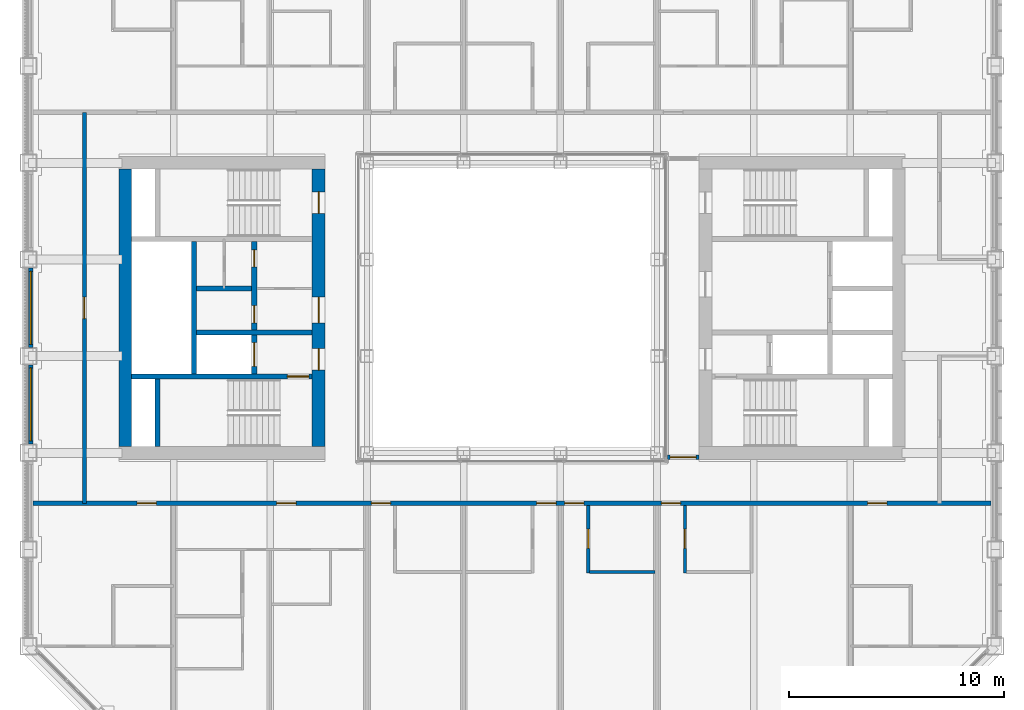
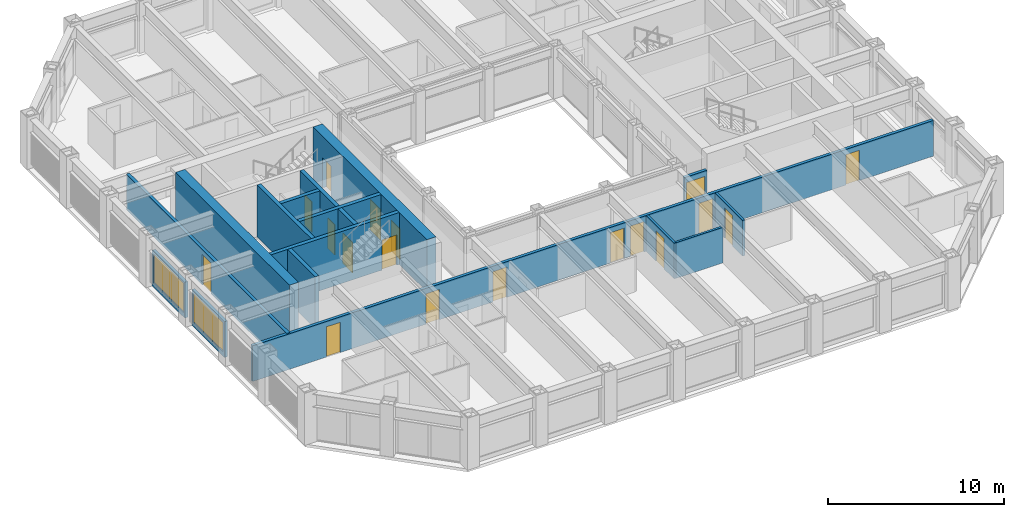
# One storey, part 11 of 18: 18 doors, 16 walls, 2 windows, 20 openings.
"""IFC4 building model written with IfcOpenShell, lengths in metres."""

import ifcopenshell
import ifcopenshell.guid

model = None  # the IFC model being written
_history = None  # IfcOwnerHistory: only IFC2X3 demands one
_inside = {}  # id of a spatial element -> (the spatial element, [elements in it])
_under = {}  # id of a project, library or spatial element -> (it, [spatial elements below it])
_declared = {}  # id of a project -> (the project, [libraries it declares])
_typed = {}  # id of a type object -> (the type object, [elements of that type])
_made_of = {}  # id of a material, layer set ... -> (it, [elements and type objects made of it])


def new_model(schema):
    """Start an empty IFC model of exactly this schema.

    Asked for "IFC4X3", IfcOpenShell would pick the latest addendum, in which some entities
    have other attributes; the version numbers below select the first issue.
    IFC2X3 requires an IfcOwnerHistory on every rooted entity: one is made here for all.
    """
    global model, _history
    if schema == "IFC4X3":
        model = ifcopenshell.file(schema_version=(4, 3, 0, 0))
    else:
        model = ifcopenshell.file(schema=schema)
    _inside.clear()
    _under.clear()
    _declared.clear()
    _typed.clear()
    _made_of.clear()
    _history = None
    if model.schema == "IFC2X3":
        org = make("IfcOrganization", Name="unknown")
        user = make(
            "IfcPersonAndOrganization",
            ThePerson=make("IfcPerson", FamilyName="unknown"),
            TheOrganization=org,
        )
        app = make(
            "IfcApplication",
            ApplicationDeveloper=org,
            Version="unknown",
            ApplicationFullName="unknown",
            ApplicationIdentifier="unknown",
        )
        _history = make(
            "IfcOwnerHistory",
            OwningUser=user,
            OwningApplication=app,
            ChangeAction="ADDED",
            CreationDate=0,
        )
    return model


def make(cls, **values):
    """One entity of the class cls with the attributes given. An attribute that is None is left unset."""
    return model.create_entity(
        cls, **{name: value for name, value in values.items() if value is not None}
    )


def rooted(cls, **values):
    """An entity with a GlobalId (a new one), such as an element, a storey or a relation."""
    return make(cls, GlobalId=ifcopenshell.guid.new(), OwnerHistory=_history, **values)


def si_unit(unit_type, name, prefix=None):
    """IfcSIUnit, for example si_unit("LENGTHUNIT", "METRE", prefix="MILLI")."""
    return make("IfcSIUnit", UnitType=unit_type, Prefix=prefix, Name=name)


def assignment(units):
    """IfcUnitAssignment: the units of a project."""
    return None if units is None else make("IfcUnitAssignment", Units=units)


def point(xyz):
    """IfcCartesianPoint."""
    return None if xyz is None else make("IfcCartesianPoint", Coordinates=xyz)


def direction(xyz):
    """IfcDirection."""
    return None if xyz is None else make("IfcDirection", DirectionRatios=xyz)


def frame(location, z_axis=None, x_axis=None):
    """IfcAxis2Placement3D, a coordinate frame: its origin and axes. An axis left out is left unset."""
    return make(
        "IfcAxis2Placement3D",
        Location=point(location),
        Axis=direction(z_axis),
        RefDirection=direction(x_axis),
    )


def frame_2d(location, x_axis=None):
    """IfcAxis2Placement2D, a coordinate frame in the plane: its origin and x axis."""
    return make(
        "IfcAxis2Placement2D", Location=point(location), RefDirection=direction(x_axis)
    )


def origin():
    """The frame at (0, 0, 0) with its axes left unset."""
    return frame((0.0, 0.0, 0.0))


def place(relative_to, where):
    """IfcLocalPlacement: puts the frame where relative to a parent placement (None: the world)."""
    return make(
        "IfcLocalPlacement", PlacementRelTo=relative_to, RelativePlacement=where
    )


def context(
    kind, dimensions, precision=None, world=None, true_north=None, identifier=None
):
    """IfcGeometricRepresentationContext, for example the 3D "Model" context."""
    return make(
        "IfcGeometricRepresentationContext",
        ContextIdentifier=identifier,
        ContextType=kind,
        CoordinateSpaceDimension=dimensions,
        Precision=precision,
        WorldCoordinateSystem=world,
        TrueNorth=true_north,
    )


def subcontext(parent, identifier, kind, view, scale=None):
    """IfcGeometricRepresentationSubContext, for example "Body" below "Model"."""
    return make(
        "IfcGeometricRepresentationSubContext",
        ContextIdentifier=identifier,
        ContextType=kind,
        ParentContext=parent,
        TargetScale=scale,
        TargetView=view,
    )


def project(units=None, contexts=None):
    """IfcProject with its units and contexts."""
    return rooted(
        "IfcProject",
        Name="project",
        RepresentationContexts=contexts,
        UnitsInContext=assignment(units),
    )


def spatial(cls, under=None, at=None, **own):
    """A site, building, storey or space (cls), placed at a placement, below another one or the project."""
    s = rooted(cls, ObjectPlacement=at, **own)
    if under is not None:
        _under.setdefault(under.id(), (under, []))[1].append(s)
    return s


def profile(cls, at=None, kind="AREA", **sizes):
    """A parametric profile (cls). Its sizes go by their IFC names, for example OverallWidth=200.0."""
    return make(cls, ProfileType=kind, Position=at, **sizes)


def rectangle(**sizes):
    """IfcRectangleProfileDef."""
    return profile("IfcRectangleProfileDef", **sizes)


def extrude(swept, where, along, depth):
    """IfcExtrudedAreaSolid: the profile swept, set in the frame where, extruded along a direction by depth."""
    return make(
        "IfcExtrudedAreaSolid",
        SweptArea=swept,
        Position=where,
        ExtrudedDirection=direction(along),
        Depth=depth,
    )


def shape(context_of_items, identifier, shape_type, items):
    """IfcShapeRepresentation: the items that make up one representation, for example the "Body"."""
    return make(
        "IfcShapeRepresentation",
        ContextOfItems=context_of_items,
        RepresentationIdentifier=identifier,
        RepresentationType=shape_type,
        Items=items,
    )


def material(Name=None, Category=None):
    """IfcMaterial."""
    return make("IfcMaterial", Name=Name, Category=Category)


def layer(
    of_material, thickness, ventilated=None, Name=None, Category=None, Priority=None
):
    """IfcMaterialLayer: one layer of a wall or slab, of a material (None: an air gap)."""
    return make(
        "IfcMaterialLayer",
        Material=of_material,
        LayerThickness=thickness,
        IsVentilated=ventilated,
        Name=Name,
        Category=Category,
        Priority=Priority,
    )


def layer_set(layers, Name=None):
    """IfcMaterialLayerSet."""
    return make("IfcMaterialLayerSet", MaterialLayers=layers, LayerSetName=Name)


def made_of(thing, what):
    """Note that an element or type object is made of a material, layer set ...; save() writes the relation."""
    if what is not None:
        _made_of.setdefault(what.id(), (what, []))[1].append(thing)
    return thing


def type_object(cls, material=None, **own):
    """A type object (cls), such as IfcWallType, which elements share."""
    return made_of(rooted(cls, **own), material)


def element(
    cls,
    number,
    at=None,
    inside=None,
    cuts=None,
    type_object=None,
    material=None,
    context=None,
    identifier="Body",
    shape_type=None,
    held_by="IfcProductDefinitionShape",
    body=None,
    shapes=None,
    **own,
):
    """One element of the class cls, such as IfcWall. Its Tag is "e" and its number.

    at: its placement. inside: the storey or other place that contains it. cuts: it is an
    opening in that element (IfcRelVoidsElement). A single representation is given by context,
    identifier, shape_type and body (its items); several are given by shapes. held_by: the class
    of the entity that holds the representations. save() writes the other relations.
    """
    e = rooted(cls, Tag="e%d" % number, ObjectPlacement=at, **own)
    if body is not None:
        shapes = [shape(context, identifier, shape_type, body)]
    if shapes is not None:
        e.Representation = make(held_by, Representations=shapes)
    if inside is not None:
        _inside.setdefault(inside.id(), (inside, []))[1].append(e)
    if cuts is not None:
        rooted(
            "IfcRelVoidsElement", RelatingBuildingElement=cuts, RelatedOpeningElement=e
        )
    if type_object is not None:
        _typed.setdefault(type_object.id(), (type_object, []))[1].append(e)
    return made_of(e, material)


def fill(opening, filler):
    """IfcRelFillsElement: the door or window that sits in an opening."""
    return rooted(
        "IfcRelFillsElement",
        RelatingOpeningElement=opening,
        RelatedBuildingElement=filler,
    )


def aggregate(whole, parts):
    """IfcRelAggregates: a whole, such as a stair, and the parts it consists of."""
    return rooted("IfcRelAggregates", RelatingObject=whole, RelatedObjects=parts)


def save(model, path):
    """Write the relations noted so far, then the file.

    IfcRelAggregates (storeys below a building ...), IfcRelContainedInSpatialStructure (elements
    in a storey), IfcRelDefinesByType, IfcRelAssociatesMaterial and IfcRelDeclares: one each for
    every whole, place, type object, material and project.
    """
    for whole, parts in _under.values():
        aggregate(whole, parts)
    for where, things in _inside.values():
        rooted(
            "IfcRelContainedInSpatialStructure",
            RelatedElements=things,
            RelatingStructure=where,
        )
    for kind, things in _typed.values():
        rooted("IfcRelDefinesByType", RelatedObjects=things, RelatingType=kind)
    for what, things in _made_of.values():
        rooted("IfcRelAssociatesMaterial", RelatedObjects=things, RelatingMaterial=what)
    for by, libraries in _declared.values():
        rooted("IfcRelDeclares", RelatingContext=by, RelatedDefinitions=libraries)
    model.write(path)


model = new_model("IFC4")

# Units and contexts
model_context = context("Model", 3, precision=1e-05, world=origin(), true_north=direction((0.0, 1.0)))
body_context = subcontext(model_context, "Body", "Model", "MODEL_VIEW")
ifc_project = project(units=[si_unit("LENGTHUNIT", "METRE"), si_unit("AREAUNIT", "SQUARE_METRE"), si_unit("VOLUMEUNIT", "CUBIC_METRE"), si_unit("PLANEANGLEUNIT", "RADIAN"), si_unit("MASSUNIT", "GRAM", prefix="KILO")], contexts=[model_context])

# Site, building, storey
site_placement = place(None, origin())
site = spatial("IfcSite", under=ifc_project, at=site_placement, CompositionType="ELEMENT")
building_placement = place(site_placement, origin())
building = spatial("IfcBuilding", under=site, at=building_placement, Name="Msasa Ring Tower", CompositionType="ELEMENT")
storey_placement = place(building_placement, frame((0.0, 0.0, 183.199951171875)))
storey = spatial("IfcBuildingStorey", under=building, at=storey_placement, Name="L48", CompositionType="ELEMENT", Elevation=183.199951171875)

# Wall, openings, doors
ifc_material_1 = material(Name="Concrete C60/75", Category="concrete")
ifc_layer_1 = layer(ifc_material_1, 0.60009765625)
ifc_layer_set_1 = layer_set([ifc_layer_1], Name="CW2 CORE WALL 600")
wall_type_1 = type_object("IfcWallType", Name="CW2 CORE WALL 600", PredefinedType="SHEAR", material=ifc_layer_set_1)
wall_1_placement = place(storey_placement, frame((-9.0, -6.449951171875, 0.0), z_axis=(0.0, 0.0, 1.0), x_axis=(0.0, 1.0, 0.0)))
wall_1 = element("IfcWall", 1, at=wall_1_placement, inside=storey, type_object=wall_type_1, Name="W core wall W L48", PredefinedType="SHEAR", context=body_context, shape_type="SweptSolid", body=[
    extrude(rectangle(XDim=12.89990234375, YDim=0.60009765625, at=frame_2d((6.449951171875, 0.0))), origin(), (0.0, 0.0, 1.0), 3.60009765625),
])
opening_1_placement = place(wall_1_placement, frame((3.550048828125, 0.0, 0.0)))
opening_1 = element("IfcOpeningElement", 2, at=opening_1_placement, cuts=wall_1, Name="Opening HG-034", PredefinedType="OPENING", context=body_context, shape_type="SweptSolid", body=[
    extrude(rectangle(XDim=1.0, YDim=2.10009765625, at=frame_2d((0.5, 1.050048828125))), frame((0.0, 0.31005859375, 0.0), z_axis=(0.0, -1.0, 0.0), x_axis=(1.0, 0.0, 0.0)), (0.0, 0.0, 1.0), 0.6201171875),
])
opening_2_placement = place(wall_1_placement, frame((5.75, 0.0, 0.0)))
opening_2 = element("IfcOpeningElement", 3, at=opening_2_placement, cuts=wall_1, Name="Opening HG-032", PredefinedType="OPENING", context=body_context, shape_type="SweptSolid", body=[
    extrude(rectangle(XDim=1.199951171875, YDim=2.10009765625, at=frame_2d((0.60009765625, 1.050048828125))), frame((0.0, 0.31005859375, 0.0), z_axis=(0.0, -1.0, 0.0), x_axis=(1.0, 0.0, 0.0)), (0.0, 0.0, 1.0), 0.6201171875),
])
opening_3_placement = place(wall_1_placement, frame((10.85009765625, 0.0, 0.0)))
opening_3 = element("IfcOpeningElement", 4, at=opening_3_placement, cuts=wall_1, Name="Opening HG-025", PredefinedType="OPENING", context=body_context, shape_type="SweptSolid", body=[
    extrude(rectangle(XDim=1.0, YDim=2.10009765625, at=frame_2d((0.5, 1.050048828125))), frame((0.0, 0.31005859375, 0.0), z_axis=(0.0, -1.0, 0.0), x_axis=(1.0, 0.0, 0.0)), (0.0, 0.0, 1.0), 0.6201171875),
])
ifc_material_2 = material(Name="Timber door leaf in a steel frame", Category="steel")
door_type_1 = type_object("IfcDoorType", Name="D4 LOBBY DOOR 1000x2100", OperationType="SINGLE_SWING_LEFT", PredefinedType="DOOR", material=ifc_material_2)
door_1_placement = place(opening_1_placement, origin())
door_1 = element("IfcDoor", 5, at=door_1_placement, inside=storey, type_object=door_type_1, Name="Door L48-WFFL", OperationType="SINGLE_SWING_LEFT", OverallHeight=2.10009765625, OverallWidth=1.0, PredefinedType="DOOR", context=body_context, shape_type="SweptSolid", body=[
    extrude(rectangle(XDim=1.0, YDim=2.10009765625, at=frame_2d((0.5, 1.050048828125))), frame((0.0, 0.02490234375, 0.0), z_axis=(0.0, -1.0, 0.0), x_axis=(1.0, 0.0, 0.0)), (0.0, 0.0, 1.0), 0.050048828125),
])
fill(opening_1, door_1)
ifc_material_3 = material(Name="Timber door leaf in a steel frame", Category="steel")
door_type_2 = type_object("IfcDoorType", Name="D5 WIDE LOBBY DOOR 1200x2100", OperationType="SINGLE_SWING_LEFT", PredefinedType="DOOR", material=ifc_material_3)
door_2_placement = place(opening_2_placement, origin())
door_2 = element("IfcDoor", 6, at=door_2_placement, inside=storey, type_object=door_type_2, Name="Door L48-WLL", OperationType="SINGLE_SWING_LEFT", OverallHeight=2.10009765625, OverallWidth=1.199951171875, PredefinedType="DOOR", context=body_context, shape_type="SweptSolid", body=[
    extrude(rectangle(XDim=1.199951171875, YDim=2.10009765625, at=frame_2d((0.60009765625, 1.050048828125))), frame((0.0, 0.02490234375, 0.0), z_axis=(0.0, -1.0, 0.0), x_axis=(1.0, 0.0, 0.0)), (0.0, 0.0, 1.0), 0.050048828125),
])
fill(opening_2, door_2)
ifc_material_4 = material(Name="Timber door leaf in a steel frame", Category="steel")
door_type_3 = type_object("IfcDoorType", Name="D6 STAIR DOOR 1000x2100", OperationType="SINGLE_SWING_LEFT", PredefinedType="DOOR", material=ifc_material_4)
door_3_placement = place(opening_3_placement, origin())
door_3 = element("IfcDoor", 7, at=door_3_placement, inside=storey, type_object=door_type_3, Name="Door L48-WSTB", OperationType="SINGLE_SWING_RIGHT", OverallHeight=2.10009765625, OverallWidth=1.0, PredefinedType="DOOR", context=body_context, shape_type="SweptSolid", body=[
    extrude(rectangle(XDim=1.0, YDim=2.10009765625, at=frame_2d((0.5, 1.050048828125))), frame((0.0, 0.02490234375, 0.0), z_axis=(0.0, -1.0, 0.0), x_axis=(1.0, 0.0, 0.0)), (0.0, 0.0, 1.0), 0.050048828125),
])
fill(opening_3, door_3)

# Wall
wall_2_placement = place(storey_placement, frame((-18.0, -6.449951171875, 0.0), z_axis=(0.0, 0.0, 1.0), x_axis=(0.0, 1.0, 0.0)))
element("IfcWall", 8, at=wall_2_placement, inside=storey, type_object=wall_type_1, Name="W core wall E L48", PredefinedType="SHEAR", context=body_context, shape_type="SweptSolid", body=[
    extrude(rectangle(XDim=12.89990234375, YDim=0.60009765625, at=frame_2d((6.449951171875, 0.0))), origin(), (0.0, 0.0, 1.0), 3.60009765625),
])

# Wall, opening, door
ifc_material_5 = material(Name="Concrete C60/75", Category="concrete")
ifc_layer_2 = layer(ifc_material_5, 0.25)
ifc_layer_set_2 = layer_set([ifc_layer_2], Name="CW4 CORE INNER WALL 250")
wall_type_2 = type_object("IfcWallType", Name="CW4 CORE INNER WALL 250", PredefinedType="SHEAR", material=ifc_layer_set_2)
wall_3_placement = place(storey_placement, frame((-9.300048828125, -3.199951171875, 0.0), z_axis=(0.0, 0.0, 1.0), x_axis=(-1.0, 0.0, 0.0)))
wall_3 = element("IfcWall", 9, at=wall_3_placement, inside=storey, type_object=wall_type_2, Name="W core wall STAIRA L48", PredefinedType="SHEAR", context=body_context, shape_type="SweptSolid", body=[
    extrude(rectangle(XDim=8.39990234375, YDim=0.25, at=frame_2d((4.199951171875, 0.0))), origin(), (0.0, 0.0, 1.0), 3.60009765625),
])
opening_4_placement = place(wall_3_placement, frame((0.14990234375, 0.0, 0.0)))
opening_4 = element("IfcOpeningElement", 10, at=opening_4_placement, cuts=wall_3, Name="Opening HG-036", PredefinedType="OPENING", context=body_context, shape_type="SweptSolid", body=[
    extrude(rectangle(XDim=1.0, YDim=2.10009765625, at=frame_2d((0.5, 1.050048828125))), frame((0.0, 0.135009765625, 0.0), z_axis=(0.0, -1.0, 0.0), x_axis=(1.0, 0.0, 0.0)), (0.0, 0.0, 1.0), 0.27001953125),
])
door_4_placement = place(opening_4_placement, origin())
door_4 = element("IfcDoor", 11, at=door_4_placement, inside=storey, type_object=door_type_3, Name="Door L48-WSTA", OperationType="SINGLE_SWING_LEFT", OverallHeight=2.10009765625, OverallWidth=1.0, PredefinedType="DOOR", context=body_context, shape_type="SweptSolid", body=[
    extrude(rectangle(XDim=1.0, YDim=2.10009765625, at=frame_2d((0.5, 1.050048828125))), frame((0.0, 0.02490234375, 0.0), z_axis=(0.0, -1.0, 0.0), x_axis=(1.0, 0.0, 0.0)), (0.0, 0.0, 1.0), 0.050048828125),
])
fill(opening_4, door_4)

# Walls
wall_4_placement = place(storey_placement, frame((-16.5, -6.449951171875, 0.0), z_axis=(0.0, 0.0, 1.0), x_axis=(0.0, 1.0, 0.0)))
element("IfcWall", 12, at=wall_4_placement, inside=storey, type_object=wall_type_2, Name="W core wall RISERA L48", PredefinedType="SHEAR", context=body_context, shape_type="SweptSolid", body=[
    extrude(rectangle(XDim=3.125, YDim=0.25, at=frame_2d((1.5625, 0.0))), origin(), (0.0, 0.0, 1.0), 3.60009765625),
])
wall_5_placement = place(storey_placement, frame((-9.300048828125, -1.14990234375, 0.0), z_axis=(0.0, 0.0, 1.0), x_axis=(-1.0, 0.0, 0.0)))
element("IfcWall", 13, at=wall_5_placement, inside=storey, type_object=wall_type_2, Name="W core wall FFL L48", PredefinedType="SHEAR", context=body_context, shape_type="SweptSolid", body=[
    extrude(rectangle(XDim=5.375, YDim=0.25, at=frame_2d((2.6875, 0.0))), origin(), (0.0, 0.0, 1.0), 3.60009765625),
])

# Wall, openings, doors
wall_6_placement = place(storey_placement, frame((-12.0, -3.074951171875, 0.0), z_axis=(0.0, 0.0, 1.0), x_axis=(0.0, 1.0, 0.0)))
wall_6 = element("IfcWall", 14, at=wall_6_placement, inside=storey, type_object=wall_type_2, Name="W core wall LOBBY L48", PredefinedType="SHEAR", context=body_context, shape_type="SweptSolid", body=[
    extrude(rectangle(XDim=6.14990234375, YDim=0.25, at=frame_2d((3.074951171875, 0.0))), origin(), (0.0, 0.0, 1.0), 3.60009765625),
])
opening_5_placement = place(wall_6_placement, frame((2.375, 0.0, 0.0)))
opening_5 = element("IfcOpeningElement", 15, at=opening_5_placement, cuts=wall_6, Name="Opening HG-033", PredefinedType="OPENING", context=body_context, shape_type="SweptSolid", body=[
    extrude(rectangle(XDim=0.800048828125, YDim=2.10009765625, at=frame_2d((0.39990234375, 1.050048828125))), frame((0.0, 0.135009765625, 0.0), z_axis=(0.0, -1.0, 0.0), x_axis=(1.0, 0.0, 0.0)), (0.0, 0.0, 1.0), 0.27001953125),
])
opening_6_placement = place(wall_6_placement, frame((4.97509765625, 0.0, 0.0)))
opening_6 = element("IfcOpeningElement", 16, at=opening_6_placement, cuts=wall_6, Name="Opening HG-027", PredefinedType="OPENING", context=body_context, shape_type="SweptSolid", body=[
    extrude(rectangle(XDim=0.800048828125, YDim=2.10009765625, at=frame_2d((0.39990234375, 1.050048828125))), frame((0.0, 0.135009765625, 0.0), z_axis=(0.0, -1.0, 0.0), x_axis=(1.0, 0.0, 0.0)), (0.0, 0.0, 1.0), 0.27001953125),
])
opening_7_placement = place(wall_6_placement, frame((0.35009765625, 0.0, 0.0)))
opening_7 = element("IfcOpeningElement", 17, at=opening_7_placement, cuts=wall_6, Name="Opening LD1", PredefinedType="OPENING", context=body_context, shape_type="SweptSolid", body=[
    extrude(rectangle(XDim=1.10009765625, YDim=2.10009765625, at=frame_2d((0.550048828125, 1.050048828125))), frame((0.0, 0.135009765625, 0.0), z_axis=(0.0, -1.0, 0.0), x_axis=(1.0, 0.0, 0.0)), (0.0, 0.0, 1.0), 0.27001953125),
])
ifc_material_6 = material(Name="Timber door leaf in a steel frame", Category="steel")
door_type_4 = type_object("IfcDoorType", Name="D9 NARROW SERVICE DOOR 800x2100", OperationType="SINGLE_SWING_LEFT", PredefinedType="DOOR", material=ifc_material_6)
door_5_placement = place(opening_5_placement, origin())
door_5 = element("IfcDoor", 18, at=door_5_placement, inside=storey, type_object=door_type_4, Name="Door L48-WR1", OperationType="SINGLE_SWING_LEFT", OverallHeight=2.10009765625, OverallWidth=0.800048828125, PredefinedType="DOOR", context=body_context, shape_type="SweptSolid", body=[
    extrude(rectangle(XDim=0.800048828125, YDim=2.10009765625, at=frame_2d((0.39990234375, 1.050048828125))), frame((0.0, 0.02490234375, 0.0), z_axis=(0.0, -1.0, 0.0), x_axis=(1.0, 0.0, 0.0)), (0.0, 0.0, 1.0), 0.050048828125),
])
fill(opening_5, door_5)
door_6_placement = place(opening_6_placement, origin())
door_6 = element("IfcDoor", 19, at=door_6_placement, inside=storey, type_object=door_type_4, Name="Door L48-WR2", OperationType="SINGLE_SWING_RIGHT", OverallHeight=2.10009765625, OverallWidth=0.800048828125, PredefinedType="DOOR", context=body_context, shape_type="SweptSolid", body=[
    extrude(rectangle(XDim=0.800048828125, YDim=2.10009765625, at=frame_2d((0.39990234375, 1.050048828125))), frame((0.0, 0.02490234375, 0.0), z_axis=(0.0, -1.0, 0.0), x_axis=(1.0, 0.0, 0.0)), (0.0, 0.0, 1.0), 0.050048828125),
])
fill(opening_6, door_6)
ifc_material_7 = material(Name="Stainless steel lift landing door", Category="steel")
door_type_5 = type_object("IfcDoorType", Name="LD1 LIFT LANDING DOOR 1100x2100", OperationType="DOUBLE_DOOR_SLIDING", PredefinedType="DOOR", material=ifc_material_7)
door_7_placement = place(opening_7_placement, origin())
door_7 = element("IfcDoor", 20, at=door_7_placement, inside=storey, type_object=door_type_5, Name="Lift landing door FL-W L48", OperationType="DOUBLE_DOOR_SLIDING", OverallHeight=2.10009765625, OverallWidth=1.10009765625, PredefinedType="DOOR", context=body_context, shape_type="SweptSolid", body=[
    extrude(rectangle(XDim=1.10009765625, YDim=2.10009765625, at=frame_2d((0.550048828125, 1.050048828125))), frame((0.0, 0.02490234375, 0.0), z_axis=(0.0, -1.0, 0.0), x_axis=(1.0, 0.0, 0.0)), (0.0, 0.0, 1.0), 0.050048828125),
])
fill(opening_7, door_7)

# Walls
wall_7_placement = place(storey_placement, frame((-14.800048828125, -3.074951171875, 0.0), z_axis=(0.0, 0.0, 1.0), x_axis=(0.0, 1.0, 0.0)))
element("IfcWall", 21, at=wall_7_placement, inside=storey, type_object=wall_type_2, Name="W core wall SHAFT L48", PredefinedType="SHEAR", context=body_context, shape_type="SweptSolid", body=[
    extrude(rectangle(XDim=6.14990234375, YDim=0.25, at=frame_2d((3.074951171875, 0.0))), origin(), (0.0, 0.0, 1.0), 3.60009765625),
])
wall_8_placement = place(storey_placement, frame((-12.125, 0.89990234375, 0.0), z_axis=(0.0, 0.0, 1.0), x_axis=(-1.0, 0.0, 0.0)))
element("IfcWall", 22, at=wall_8_placement, inside=storey, type_object=wall_type_2, Name="W core wall LIFT1 L48", PredefinedType="SHEAR", context=body_context, shape_type="SweptSolid", body=[
    extrude(rectangle(XDim=2.550048828125, YDim=0.25, at=frame_2d((1.27490234375, 0.0))), origin(), (0.0, 0.0, 1.0), 3.60009765625),
])

# Wall, opening, window
ifc_material_8 = material(Name="Terracotta rainscreen on blockwork", Category="masonry")
ifc_layer_3 = layer(ifc_material_8, 0.199951171875)
ifc_layer_set_3 = layer_set([ifc_layer_3], Name="FW1 TERRACOTTA-LINED INFILL BAY WALL 200")
wall_type_3 = type_object("IfcWallType", Name="FW1 TERRACOTTA-LINED INFILL BAY WALL 200", PredefinedType="SOLIDWALL", material=ifc_layer_set_3)
wall_9_placement = place(storey_placement, frame((-22.39990234375, -6.344970703125, 0.0), z_axis=(0.0, 0.0, 1.0), x_axis=(0.0, 1.0, 0.0)))
wall_9 = element("IfcWall", 23, at=wall_9_placement, inside=storey, type_object=wall_type_3, Name="Infill bay wall W L48 29", PredefinedType="SOLIDWALL", context=body_context, shape_type="SweptSolid", body=[
    extrude(rectangle(XDim=3.68994140625, YDim=0.199951171875, at=frame_2d((1.844970703125, 0.0))), origin(), (0.0, 0.0, 1.0), 2.47900390625),
])
opening_8_placement = place(wall_9_placement, frame((0.14501953125, 0.0, 0.300048828125)))
opening_8 = element("IfcOpeningElement", 24, at=opening_8_placement, cuts=wall_9, Name="Opening WN2", PredefinedType="OPENING", context=body_context, shape_type="SweptSolid", body=[
    extrude(rectangle(XDim=3.39990234375, YDim=2.029052734375, at=frame_2d((1.699951171875, 1.0146484375))), frame((0.0, 0.10986328125, 0.0), z_axis=(0.0, -1.0, 0.0), x_axis=(1.0, 0.0, 0.0)), (0.0, 0.0, 1.0), 0.219970703125),
])
ifc_material_9 = material(Name="Aluminium frame with clear glass", Category="aluminium")
window_type = type_object("IfcWindowType", Name="WN2 GUEST ROOM WINDOW 3400x2029", PartitioningType="SINGLE_PANEL", PredefinedType="WINDOW", material=ifc_material_9)
window_1_placement = place(opening_8_placement, origin())
window_1 = element("IfcWindow", 25, at=window_1_placement, inside=storey, type_object=window_type, Name="Window W L48 29", OverallHeight=2.029052734375, OverallWidth=3.39990234375, PartitioningType="SINGLE_PANEL", PredefinedType="WINDOW", context=body_context, shape_type="SweptSolid", body=[
    extrude(rectangle(XDim=3.39990234375, YDim=2.029052734375, at=frame_2d((1.699951171875, 1.0146484375))), frame((0.0, 0.030029296875, 0.0), z_axis=(0.0, -1.0, 0.0), x_axis=(1.0, 0.0, 0.0)), (0.0, 0.0, 1.0), 0.06005859375),
])
fill(opening_8, window_1)

wall_10_placement = place(storey_placement, frame((-22.39990234375, -1.844970703125, 0.0), z_axis=(0.0, 0.0, 1.0), x_axis=(0.0, 1.0, 0.0)))
wall_10 = element("IfcWall", 26, at=wall_10_placement, inside=storey, type_object=wall_type_3, Name="Infill bay wall W L48 30", PredefinedType="SOLIDWALL", context=body_context, shape_type="SweptSolid", body=[
    extrude(rectangle(XDim=3.68994140625, YDim=0.199951171875, at=frame_2d((1.844970703125, 0.0))), origin(), (0.0, 0.0, 1.0), 2.47900390625),
])
opening_9_placement = place(wall_10_placement, frame((0.14501953125, 0.0, 0.300048828125)))
opening_9 = element("IfcOpeningElement", 27, at=opening_9_placement, cuts=wall_10, Name="Opening WN2", PredefinedType="OPENING", context=body_context, shape_type="SweptSolid", body=[
    extrude(rectangle(XDim=3.39990234375, YDim=2.029052734375, at=frame_2d((1.699951171875, 1.0146484375))), frame((0.0, 0.10986328125, 0.0), z_axis=(0.0, -1.0, 0.0), x_axis=(1.0, 0.0, 0.0)), (0.0, 0.0, 1.0), 0.219970703125),
])
window_2_placement = place(opening_9_placement, origin())
window_2 = element("IfcWindow", 28, at=window_2_placement, inside=storey, type_object=window_type, Name="Window W L48 30", OverallHeight=2.029052734375, OverallWidth=3.39990234375, PartitioningType="SINGLE_PANEL", PredefinedType="WINDOW", context=body_context, shape_type="SweptSolid", body=[
    extrude(rectangle(XDim=3.39990234375, YDim=2.029052734375, at=frame_2d((1.699951171875, 1.0146484375))), frame((0.0, 0.030029296875, 0.0), z_axis=(0.0, -1.0, 0.0), x_axis=(1.0, 0.0, 0.0)), (0.0, 0.0, 1.0), 0.06005859375),
])
fill(opening_9, window_2)

# Wall, opening, door
ifc_material_10 = material(Name="Concrete blockwork", Category="masonry")
ifc_layer_4 = layer(ifc_material_10, 0.199951171875)
ifc_layer_set_4 = layer_set([ifc_layer_4], Name="PT1 CORRIDOR WALL 200")
wall_type_4 = type_object("IfcWallType", Name="PT1 CORRIDOR WALL 200", PredefinedType="PARTITIONING", material=ifc_layer_set_4)
wall_11_placement = place(storey_placement, frame((7.22998046875, -6.949951171875, 0.0), z_axis=(0.0, 0.0, 1.0), x_axis=(1.0, 0.0, 0.0)))
wall_11 = element("IfcWall", 29, at=wall_11_placement, inside=storey, type_object=wall_type_4, Name="Corridor wall L48-SDES", PredefinedType="PARTITIONING", context=body_context, shape_type="SweptSolid", body=[
    extrude(rectangle(XDim=1.469970703125, YDim=0.199951171875, at=frame_2d((0.73486328125, 0.0))), origin(), (0.0, 0.0, 1.0), 2.473388671875),
])
opening_10_placement = place(wall_11_placement, frame((0.135009765625, 0.0, 0.0)))
opening_10 = element("IfcOpeningElement", 30, at=opening_10_placement, cuts=wall_11, Name="Opening HG-039", PredefinedType="OPENING", context=body_context, shape_type="SweptSolid", body=[
    extrude(rectangle(XDim=1.199951171875, YDim=2.10009765625, at=frame_2d((0.60009765625, 1.050048828125))), frame((0.0, 0.10986328125, 0.0), z_axis=(0.0, -1.0, 0.0), x_axis=(1.0, 0.0, 0.0)), (0.0, 0.0, 1.0), 0.219970703125),
])
ifc_material_11 = material(Name="Timber door leaf in a steel frame", Category="steel")
door_type_6 = type_object("IfcDoorType", Name="D25 CORRIDOR PAIR OF SMOKE DOORS 1200x2100", OperationType="DOUBLE_DOOR_DOUBLE_SWING", PredefinedType="DOOR", material=ifc_material_11)
door_8_placement = place(opening_10_placement, origin())
door_8 = element("IfcDoor", 31, at=door_8_placement, inside=storey, type_object=door_type_6, Name="Door L48-SDES", OperationType="DOUBLE_DOOR_DOUBLE_SWING", OverallHeight=2.10009765625, OverallWidth=1.199951171875, PredefinedType="DOOR", context=body_context, shape_type="SweptSolid", body=[
    extrude(rectangle(XDim=1.199951171875, YDim=2.10009765625, at=frame_2d((0.60009765625, 1.050048828125))), frame((0.0, 0.02490234375, 0.0), z_axis=(0.0, -1.0, 0.0), x_axis=(1.0, 0.0, 0.0)), (0.0, 0.0, 1.0), 0.050048828125),
])
fill(opening_10, door_8)

# Wall, openings, doors
wall_12_placement = place(storey_placement, frame((-22.300048828125, -9.10009765625, 0.0), z_axis=(0.0, 0.0, 1.0), x_axis=(1.0, 0.0, 0.0)))
wall_12 = element("IfcWall", 32, at=wall_12_placement, inside=storey, type_object=wall_type_4, Name="Corridor wall L48-CORRS0", PredefinedType="PARTITIONING", context=body_context, shape_type="SweptSolid", body=[
    extrude(rectangle(XDim=44.60009765625, YDim=0.199951171875, at=frame_2d((22.300048828125, 0.0))), origin(), (0.0, 0.0, 1.0), 2.473388671875),
])
opening_11_placement = place(wall_12_placement, frame((11.35009765625, 0.0, 0.0)))
opening_11 = element("IfcOpeningElement", 33, at=opening_11_placement, cuts=wall_12, Name="Opening HG-041", PredefinedType="OPENING", context=body_context, shape_type="SweptSolid", body=[
    extrude(rectangle(XDim=0.89990234375, YDim=2.10009765625, at=frame_2d((0.449951171875, 1.050048828125))), frame((0.0, 0.10986328125, 0.0), z_axis=(0.0, -1.0, 0.0), x_axis=(1.0, 0.0, 0.0)), (0.0, 0.0, 1.0), 0.219970703125),
])
opening_12_placement = place(wall_12_placement, frame((15.75, 0.0, 0.0)))
opening_12 = element("IfcOpeningElement", 34, at=opening_12_placement, cuts=wall_12, Name="Opening HG-042", PredefinedType="OPENING", context=body_context, shape_type="SweptSolid", body=[
    extrude(rectangle(XDim=0.89990234375, YDim=2.10009765625, at=frame_2d((0.449951171875, 1.050048828125))), frame((0.0, 0.10986328125, 0.0), z_axis=(0.0, -1.0, 0.0), x_axis=(1.0, 0.0, 0.0)), (0.0, 0.0, 1.0), 0.219970703125),
])
opening_13_placement = place(wall_12_placement, frame((23.449951171875, 0.0, 0.0)))
opening_13 = element("IfcOpeningElement", 35, at=opening_13_placement, cuts=wall_12, Name="Opening HG-043", PredefinedType="OPENING", context=body_context, shape_type="SweptSolid", body=[
    extrude(rectangle(XDim=0.89990234375, YDim=2.10009765625, at=frame_2d((0.449951171875, 1.050048828125))), frame((0.0, 0.10986328125, 0.0), z_axis=(0.0, -1.0, 0.0), x_axis=(1.0, 0.0, 0.0)), (0.0, 0.0, 1.0), 0.219970703125),
])
opening_14_placement = place(wall_12_placement, frame((24.75, 0.0, 0.0)))
opening_14 = element("IfcOpeningElement", 36, at=opening_14_placement, cuts=wall_12, Name="Opening HG-044", PredefinedType="OPENING", context=body_context, shape_type="SweptSolid", body=[
    extrude(rectangle(XDim=0.89990234375, YDim=2.10009765625, at=frame_2d((0.449951171875, 1.050048828125))), frame((0.0, 0.10986328125, 0.0), z_axis=(0.0, -1.0, 0.0), x_axis=(1.0, 0.0, 0.0)), (0.0, 0.0, 1.0), 0.219970703125),
])
opening_15_placement = place(wall_12_placement, frame((29.25, 0.0, 0.0)))
opening_15 = element("IfcOpeningElement", 37, at=opening_15_placement, cuts=wall_12, Name="Opening HG-045", PredefinedType="OPENING", context=body_context, shape_type="SweptSolid", body=[
    extrude(rectangle(XDim=0.89990234375, YDim=2.10009765625, at=frame_2d((0.449951171875, 1.050048828125))), frame((0.0, 0.10986328125, 0.0), z_axis=(0.0, -1.0, 0.0), x_axis=(1.0, 0.0, 0.0)), (0.0, 0.0, 1.0), 0.219970703125),
])
opening_16_placement = place(wall_12_placement, frame((38.85009765625, 0.0, 0.0)))
opening_16 = element("IfcOpeningElement", 38, at=opening_16_placement, cuts=wall_12, Name="Opening HG-046", PredefinedType="OPENING", context=body_context, shape_type="SweptSolid", body=[
    extrude(rectangle(XDim=0.89990234375, YDim=2.10009765625, at=frame_2d((0.449951171875, 1.050048828125))), frame((0.0, 0.10986328125, 0.0), z_axis=(0.0, -1.0, 0.0), x_axis=(1.0, 0.0, 0.0)), (0.0, 0.0, 1.0), 0.219970703125),
])
opening_17_placement = place(wall_12_placement, frame((4.85009765625, 0.0, 0.0)))
opening_17 = element("IfcOpeningElement", 39, at=opening_17_placement, cuts=wall_12, Name="Opening HG-040", PredefinedType="OPENING", context=body_context, shape_type="SweptSolid", body=[
    extrude(rectangle(XDim=0.89990234375, YDim=2.10009765625, at=frame_2d((0.449951171875, 1.050048828125))), frame((0.0, 0.10986328125, 0.0), z_axis=(0.0, -1.0, 0.0), x_axis=(1.0, 0.0, 0.0)), (0.0, 0.0, 1.0), 0.219970703125),
])
ifc_material_12 = material(Name="Timber door leaf in a steel frame", Category="steel")
door_type_7 = type_object("IfcDoorType", Name="D1 SINGLE DOOR TO CORRIDOR 900x2100", OperationType="SINGLE_SWING_LEFT", PredefinedType="DOOR", material=ifc_material_12)
door_9_placement = place(opening_12_placement, origin())
door_9 = element("IfcDoor", 40, at=door_9_placement, inside=storey, type_object=door_type_7, Name="Door L48-GS01", OperationType="SINGLE_SWING_LEFT", OverallHeight=2.10009765625, OverallWidth=0.89990234375, PredefinedType="DOOR", context=body_context, shape_type="SweptSolid", body=[
    extrude(rectangle(XDim=0.89990234375, YDim=2.10009765625, at=frame_2d((0.449951171875, 1.050048828125))), frame((0.0, 0.02490234375, 0.0), z_axis=(0.0, -1.0, 0.0), x_axis=(1.0, 0.0, 0.0)), (0.0, 0.0, 1.0), 0.050048828125),
])
fill(opening_12, door_9)
door_10_placement = place(opening_13_placement, origin())
door_10 = element("IfcDoor", 41, at=door_10_placement, inside=storey, type_object=door_type_7, Name="Door L48-GS02", OperationType="SINGLE_SWING_RIGHT", OverallHeight=2.10009765625, OverallWidth=0.89990234375, PredefinedType="DOOR", context=body_context, shape_type="SweptSolid", body=[
    extrude(rectangle(XDim=0.89990234375, YDim=2.10009765625, at=frame_2d((0.449951171875, 1.050048828125))), frame((0.0, 0.02490234375, 0.0), z_axis=(0.0, -1.0, 0.0), x_axis=(1.0, 0.0, 0.0)), (0.0, 0.0, 1.0), 0.050048828125),
])
fill(opening_13, door_10)
door_11_placement = place(opening_14_placement, origin())
door_11 = element("IfcDoor", 42, at=door_11_placement, inside=storey, type_object=door_type_7, Name="Door L48-GS03", OperationType="SINGLE_SWING_RIGHT", OverallHeight=2.10009765625, OverallWidth=0.89990234375, PredefinedType="DOOR", context=body_context, shape_type="SweptSolid", body=[
    extrude(rectangle(XDim=0.89990234375, YDim=2.10009765625, at=frame_2d((0.449951171875, 1.050048828125))), frame((0.0, 0.02490234375, 0.0), z_axis=(0.0, -1.0, 0.0), x_axis=(1.0, 0.0, 0.0)), (0.0, 0.0, 1.0), 0.050048828125),
])
fill(opening_14, door_11)
door_12_placement = place(opening_15_placement, origin())
door_12 = element("IfcDoor", 43, at=door_12_placement, inside=storey, type_object=door_type_7, Name="Door L48-GS04", OperationType="SINGLE_SWING_RIGHT", OverallHeight=2.10009765625, OverallWidth=0.89990234375, PredefinedType="DOOR", context=body_context, shape_type="SweptSolid", body=[
    extrude(rectangle(XDim=0.89990234375, YDim=2.10009765625, at=frame_2d((0.449951171875, 1.050048828125))), frame((0.0, 0.02490234375, 0.0), z_axis=(0.0, -1.0, 0.0), x_axis=(1.0, 0.0, 0.0)), (0.0, 0.0, 1.0), 0.050048828125),
])
fill(opening_15, door_12)
ifc_material_13 = material(Name="Timber door leaf in a steel frame", Category="steel")
door_type_8 = type_object("IfcDoorType", Name="D2 ENTRANCE DOOR 900x2100", OperationType="SINGLE_SWING_LEFT", PredefinedType="DOOR", material=ifc_material_13)
door_13_placement = place(opening_11_placement, origin())
door_13 = element("IfcDoor", 44, at=door_13_placement, inside=storey, type_object=door_type_8, Name="Door L48-GS00", OperationType="SINGLE_SWING_LEFT", OverallHeight=2.10009765625, OverallWidth=0.89990234375, PredefinedType="DOOR", context=body_context, shape_type="SweptSolid", body=[
    extrude(rectangle(XDim=0.89990234375, YDim=2.10009765625, at=frame_2d((0.449951171875, 1.050048828125))), frame((0.0, 0.02490234375, 0.0), z_axis=(0.0, -1.0, 0.0), x_axis=(1.0, 0.0, 0.0)), (0.0, 0.0, 1.0), 0.050048828125),
])
fill(opening_11, door_13)
door_14_placement = place(opening_16_placement, origin())
door_14 = element("IfcDoor", 45, at=door_14_placement, inside=storey, type_object=door_type_8, Name="Door L48-CSSE", OperationType="SINGLE_SWING_RIGHT", OverallHeight=2.10009765625, OverallWidth=0.89990234375, PredefinedType="DOOR", context=body_context, shape_type="SweptSolid", body=[
    extrude(rectangle(XDim=0.89990234375, YDim=2.10009765625, at=frame_2d((0.449951171875, 1.050048828125))), frame((0.0, 0.02490234375, 0.0), z_axis=(0.0, -1.0, 0.0), x_axis=(1.0, 0.0, 0.0)), (0.0, 0.0, 1.0), 0.050048828125),
])
fill(opening_16, door_14)
door_15_placement = place(opening_17_placement, origin())
door_15 = element("IfcDoor", 46, at=door_15_placement, inside=storey, type_object=door_type_8, Name="Door L48-CSSW", OperationType="SINGLE_SWING_LEFT", OverallHeight=2.10009765625, OverallWidth=0.89990234375, PredefinedType="DOOR", context=body_context, shape_type="SweptSolid", body=[
    extrude(rectangle(XDim=0.89990234375, YDim=2.10009765625, at=frame_2d((0.449951171875, 1.050048828125))), frame((0.0, 0.02490234375, 0.0), z_axis=(0.0, -1.0, 0.0), x_axis=(1.0, 0.0, 0.0)), (0.0, 0.0, 1.0), 0.050048828125),
])
fill(opening_17, door_15)

# Wall, opening, door
wall_13_placement = place(storey_placement, frame((-19.89990234375, -9.10009765625, 0.0), z_axis=(0.0, 0.0, 1.0), x_axis=(0.0, 1.0, 0.0)))
wall_13 = element("IfcWall", 47, at=wall_13_placement, inside=storey, type_object=wall_type_4, Name="Corridor wall L48-STRW", PredefinedType="PARTITIONING", context=body_context, shape_type="SweptSolid", body=[
    extrude(rectangle(XDim=18.2001953125, YDim=0.199951171875, at=frame_2d((9.10009765625, 0.0))), origin(), (0.0, 0.0, 1.0), 2.473388671875),
])
opening_18_placement = place(wall_13_placement, frame((8.60009765625, 0.0, 0.0)))
opening_18 = element("IfcOpeningElement", 48, at=opening_18_placement, cuts=wall_13, Name="Opening HG-031", PredefinedType="OPENING", context=body_context, shape_type="SweptSolid", body=[
    extrude(rectangle(XDim=1.0, YDim=2.10009765625, at=frame_2d((0.5, 1.050048828125))), frame((0.0, 0.10986328125, 0.0), z_axis=(0.0, -1.0, 0.0), x_axis=(1.0, 0.0, 0.0)), (0.0, 0.0, 1.0), 0.219970703125),
])
ifc_material_14 = material(Name="Timber door leaf in a steel frame", Category="steel")
door_type_9 = type_object("IfcDoorType", Name="D10 STORE DOOR 1000x2100", OperationType="SINGLE_SWING_LEFT", PredefinedType="DOOR", material=ifc_material_14)
door_16_placement = place(opening_18_placement, origin())
door_16 = element("IfcDoor", 49, at=door_16_placement, inside=storey, type_object=door_type_9, Name="Door L48-LGW", OperationType="SINGLE_SWING_LEFT", OverallHeight=2.10009765625, OverallWidth=1.0, PredefinedType="DOOR", context=body_context, shape_type="SweptSolid", body=[
    extrude(rectangle(XDim=1.0, YDim=2.10009765625, at=frame_2d((0.5, 1.050048828125))), frame((0.0, 0.02490234375, 0.0), z_axis=(0.0, -1.0, 0.0), x_axis=(1.0, 0.0, 0.0)), (0.0, 0.0, 1.0), 0.050048828125),
])
fill(opening_18, door_16)

ifc_material_15 = material(Name="Moisture-resistant board on steel studs with a concealed cistern and pipe void, tiled", Category="steel")
ifc_layer_5 = layer(ifc_material_15, 0.14990234375)
ifc_layer_set_5 = layer_set([ifc_layer_5], Name="PT4 BATHROOM WET WALL 150")
wall_type_5 = type_object("IfcWallType", Name="PT4 BATHROOM WET WALL 150", PredefinedType="PARTITIONING", material=ifc_layer_set_5)
wall_14_placement = place(storey_placement, frame((3.550048828125, -12.35009765625, 0.0), z_axis=(0.0, 0.0, 1.0), x_axis=(0.0, 1.0, 0.0)))
wall_14 = element("IfcWall", 50, at=wall_14_placement, inside=storey, type_object=wall_type_5, Name="Partition L48-GS03BX", PredefinedType="PARTITIONING", context=body_context, shape_type="SweptSolid", body=[
    extrude(rectangle(XDim=3.150146484375, YDim=0.14990234375, at=frame_2d((1.5751953125, 0.0))), origin(), (0.0, 0.0, 1.0), 2.473388671875),
])
opening_19_placement = place(wall_14_placement, frame((1.14990234375, 0.0, 0.0)))
opening_19 = element("IfcOpeningElement", 51, at=opening_19_placement, cuts=wall_14, Name="Opening HG-049", PredefinedType="OPENING", context=body_context, shape_type="SweptSolid", body=[
    extrude(rectangle(XDim=0.89990234375, YDim=2.10009765625, at=frame_2d((0.449951171875, 1.050048828125))), frame((0.0, 0.0849609375, 0.0), z_axis=(0.0, -1.0, 0.0), x_axis=(1.0, 0.0, 0.0)), (0.0, 0.0, 1.0), 0.169921875),
])
ifc_material_16 = material(Name="Timber door leaf in a steel frame", Category="steel")
door_type_10 = type_object("IfcDoorType", Name="D3 BATHROOM DOOR 900x2100", OperationType="SINGLE_SWING_LEFT", PredefinedType="DOOR", material=ifc_material_16)
door_17_placement = place(opening_19_placement, origin())
door_17 = element("IfcDoor", 52, at=door_17_placement, inside=storey, type_object=door_type_10, Name="Door L48-GS03B", OperationType="SINGLE_SWING_LEFT", OverallHeight=2.10009765625, OverallWidth=0.89990234375, PredefinedType="DOOR", context=body_context, shape_type="SweptSolid", body=[
    extrude(rectangle(XDim=0.89990234375, YDim=2.10009765625, at=frame_2d((0.449951171875, 1.050048828125))), frame((0.0, 0.02490234375, 0.0), z_axis=(0.0, -1.0, 0.0), x_axis=(1.0, 0.0, 0.0)), (0.0, 0.0, 1.0), 0.050048828125),
])
fill(opening_19, door_17)

# Wall
wall_15_placement = place(storey_placement, frame((3.60009765625, -12.300048828125, 0.0), z_axis=(0.0, 0.0, 1.0), x_axis=(1.0, 0.0, 0.0)))
element("IfcWall", 53, at=wall_15_placement, inside=storey, type_object=wall_type_5, Name="Partition L48-GS03BY", PredefinedType="PARTITIONING", context=body_context, shape_type="SweptSolid", body=[
    extrude(rectangle(XDim=3.0625, YDim=0.14990234375, at=frame_2d((1.53125, 0.0))), origin(), (0.0, 0.0, 1.0), 2.473388671875),
])

# Wall, opening, door
wall_16_placement = place(storey_placement, frame((8.050048828125, -12.35009765625, 0.0), z_axis=(0.0, 0.0, 1.0), x_axis=(0.0, 1.0, 0.0)))
wall_16 = element("IfcWall", 54, at=wall_16_placement, inside=storey, type_object=wall_type_5, Name="Partition L48-GS04BX", PredefinedType="PARTITIONING", context=body_context, shape_type="SweptSolid", body=[
    extrude(rectangle(XDim=3.150146484375, YDim=0.14990234375, at=frame_2d((1.5751953125, 0.0))), origin(), (0.0, 0.0, 1.0), 2.473388671875),
])
opening_20_placement = place(wall_16_placement, frame((1.14990234375, 0.0, 0.0)))
opening_20 = element("IfcOpeningElement", 55, at=opening_20_placement, cuts=wall_16, Name="Opening HG-050", PredefinedType="OPENING", context=body_context, shape_type="SweptSolid", body=[
    extrude(rectangle(XDim=0.89990234375, YDim=2.10009765625, at=frame_2d((0.449951171875, 1.050048828125))), frame((0.0, 0.0849609375, 0.0), z_axis=(0.0, -1.0, 0.0), x_axis=(1.0, 0.0, 0.0)), (0.0, 0.0, 1.0), 0.169921875),
])
door_18_placement = place(opening_20_placement, origin())
door_18 = element("IfcDoor", 56, at=door_18_placement, inside=storey, type_object=door_type_10, Name="Door L48-GS04B", OperationType="SINGLE_SWING_LEFT", OverallHeight=2.10009765625, OverallWidth=0.89990234375, PredefinedType="DOOR", context=body_context, shape_type="SweptSolid", body=[
    extrude(rectangle(XDim=0.89990234375, YDim=2.10009765625, at=frame_2d((0.449951171875, 1.050048828125))), frame((0.0, 0.02490234375, 0.0), z_axis=(0.0, -1.0, 0.0), x_axis=(1.0, 0.0, 0.0)), (0.0, 0.0, 1.0), 0.050048828125),
])
fill(opening_20, door_18)

save(model, "model.ifc")
